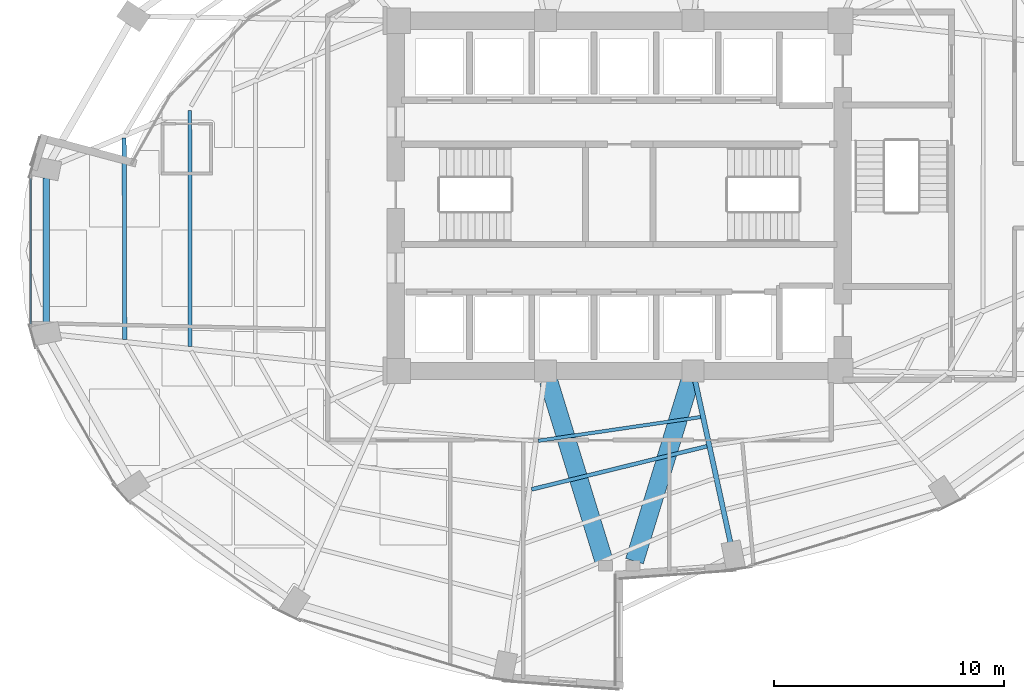
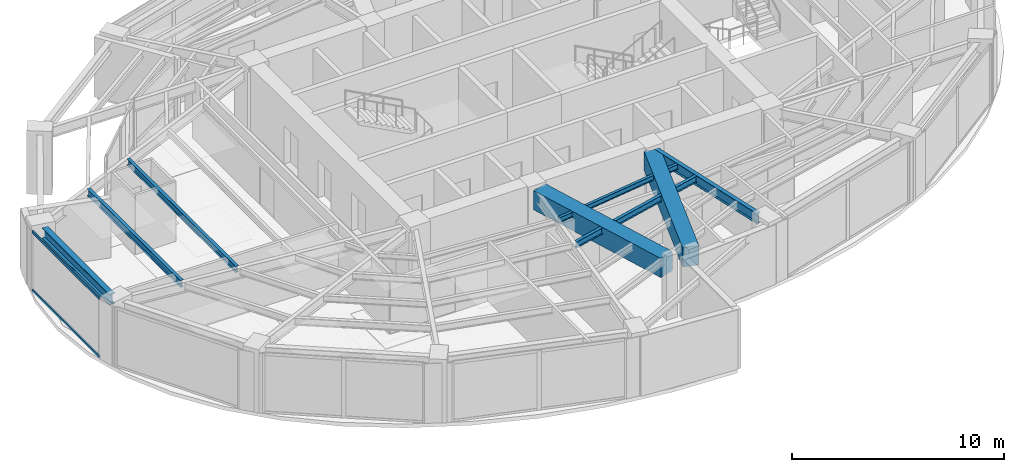
# One storey, part 7 of 24: 8 beams, 2 members, 1 element without a shape of its own.
"""IFC4 building model written with IfcOpenShell, lengths in metres."""

from ifc_helpers import new_model, si_unit, direction, frame, origin, origin_2d, place, context, subcontext, project, spatial, rectangle, hollow_rectangle, i_section, extrude, material, layer, layer_set, material_profile, profile_set, type_object, element, aggregate, save


model = new_model("IFC4")

# Units and contexts
model_context = context("Model", 3, precision=1e-05, world=origin(), true_north=direction((0.0, 1.0)))
body_context = subcontext(model_context, "Body", "Model", "MODEL_VIEW")
ifc_project = project(units=[si_unit("LENGTHUNIT", "METRE"), si_unit("AREAUNIT", "SQUARE_METRE"), si_unit("VOLUMEUNIT", "CUBIC_METRE"), si_unit("PLANEANGLEUNIT", "RADIAN"), si_unit("MASSUNIT", "GRAM", prefix="KILO")], contexts=[model_context])

# Site, building, storey
site_placement = place(None, origin())
site = spatial("IfcSite", under=ifc_project, at=site_placement, CompositionType="ELEMENT")
building_placement = place(site_placement, origin())
building = spatial("IfcBuilding", under=site, at=building_placement, Name="Lazwardi Medical Tower", CompositionType="ELEMENT")
storey_placement = place(building_placement, frame((0.0, 0.0, 118.22412109375)))
storey = spatial("IfcBuildingStorey", under=building, at=storey_placement, Name="L30", CompositionType="ELEMENT", Elevation=118.22412109375)

# Beams
ifc_material_1 = material(Name="Concrete C70/85", Category="concrete")
ifc_material_profile_1 = material_profile(ifc_material_1, rectangle(XDim=0.800048828125, YDim=1.10009765625, at=origin_2d()), Name="RC 800x1100")
ifc_profile_set_1 = profile_set([ifc_material_profile_1], Name="Concrete C70/85")
beam_type_1 = type_object("IfcBeamType", Name="BM-CB-RC1", PredefinedType="LINTEL", material=ifc_profile_set_1)
for number, where, z_axis, x_axis, name in (
    (1, (32.935302734375, 19.960205078125, 2.8779296875), (0.294073251002, -0.955782884888, 0.0), (0.955782884888, 0.294073251002, 0.0), "Core coupling lintel CB-01 PL3 L30"),
    (2, (39.064697265625, 19.960205078125, 2.8779296875), (-0.294073251002, -0.955782884888, 0.0), (0.955782884888, -0.294073251002, 0.0), "Core coupling lintel CB-01 PL4 L30"),
):
    element("IfcBeam", number, at=place(storey_placement, frame(where, z_axis=z_axis, x_axis=x_axis)), inside=storey, type_object=beam_type_1, Name=name, PredefinedType="LINTEL", context=body_context, shape_type="SweptSolid", body=[
        extrude(rectangle(XDim=0.800048828125, YDim=1.10009765625, at=origin_2d()), origin(), (0.0, 0.0, 1.0), 8.1708984375),
    ])
ifc_material_2 = material(Name="Steel S355", Category="steel")
ifc_material_profile_2 = material_profile(ifc_material_2, i_section(OverallWidth=0.300048828125, OverallDepth=0.60009765625, WebThickness=0.015380859375, FlangeThickness=0.030029296875, at=origin_2d()), Name="HEB 600")
ifc_profile_set_2 = profile_set([ifc_material_profile_2], Name="Steel S355")
beam_type_2 = type_object("IfcBeamType", Name="BM-RB-Z2", PredefinedType="BEAM", material=ifc_profile_set_2)
beam_1_placement = place(storey_placement, frame((11.13720703125, 28.77001953125, 3.1279296875), z_axis=(0.0, -1.0, 0.0), x_axis=(1.0, 0.0, 0.0)))
element("IfcBeam", 3, at=beam_1_placement, inside=storey, type_object=beam_type_2, Name="Ring beam RB-03 B12 L30", PredefinedType="BEAM", context=body_context, shape_type="SweptSolid", body=[
    extrude(i_section(OverallWidth=0.300048828125, OverallDepth=0.60009765625, WebThickness=0.015380859375, FlangeThickness=0.030029296875, at=origin_2d()), origin(), (0.0, 0.0, 1.0), 6.33984375),
])
ifc_material_profile_3 = material_profile(ifc_material_2, i_section(OverallWidth=0.219970703125, OverallDepth=0.60009765625, WebThickness=0.011962890625, FlangeThickness=0.01904296875, at=origin_2d()), Name="IPE 600")
ifc_profile_set_3 = profile_set([ifc_material_profile_3], Name="Steel S355")
beam_type_3 = type_object("IfcBeamType", Name="BM-RG-W1", PredefinedType="BEAM", material=ifc_profile_set_3)
beam_2_placement = place(storey_placement, frame((40.82177734375, 12.96923828125, 3.1279296875), z_axis=(-0.213228150441, 0.977002433907, 0.0), x_axis=(-0.977002433907, -0.213228150441, 0.0)))
element("IfcBeam", 4, at=beam_2_placement, inside=storey, type_object=beam_type_3, Name="Radial girder RG-02 R01 L30", PredefinedType="BEAM", context=body_context, shape_type="SweptSolid", body=[
    extrude(i_section(OverallWidth=0.219970703125, OverallDepth=0.60009765625, WebThickness=0.011962890625, FlangeThickness=0.01904296875, at=origin_2d()), origin(), (0.0, 0.0, 1.0), 7.145751953125),
])
ifc_material_profile_4 = material_profile(ifc_material_2, i_section(OverallWidth=0.179931640625, OverallDepth=0.39990234375, WebThickness=0.008544921875, FlangeThickness=0.013427734375, at=origin_2d()), Name="IPE 400")
ifc_profile_set_4 = profile_set([ifc_material_profile_4], Name="Steel S355")
beam_type_4 = type_object("IfcBeamType", Name="BM-SJ-01", PredefinedType="JOIST", material=ifc_profile_set_4)
beam_3_placement = place(storey_placement, frame((14.51904296875, 30.497314453125, 3.227783203125), z_axis=(0.002907126978, -0.999995774297, 0.0), x_axis=(0.999995774297, 0.002907126978, 0.0)))
element("IfcBeam", 5, at=beam_3_placement, inside=storey, type_object=beam_type_4, Name="Secondary joist SJ-01 R1 B12 L30", PredefinedType="JOIST", context=body_context, shape_type="SweptSolid", body=[
    extrude(i_section(OverallWidth=0.179931640625, OverallDepth=0.39990234375, WebThickness=0.008544921875, FlangeThickness=0.013427734375, at=origin_2d()), origin(), (0.0, 0.0, 1.0), 8.73388671875),
])
ifc_material_profile_5 = material_profile(ifc_material_2, i_section(OverallWidth=0.169921875, OverallDepth=0.360107421875, WebThickness=0.008056640625, FlangeThickness=0.0126953125, at=origin_2d()), Name="IPE 360")
ifc_profile_set_5 = profile_set([ifc_material_profile_5], Name="Steel S355")
beam_type_5 = type_object("IfcBeamType", Name="BM-SJ-02", PredefinedType="JOIST", material=ifc_profile_set_5)
beam_4_placement = place(storey_placement, frame((17.365966796875, 31.69482421875, 3.247802734375), z_axis=(0.000930565095, -0.999999567024, 0.0), x_axis=(0.999999567024, 0.000930565095, 0.0)))
element("IfcBeam", 6, at=beam_4_placement, inside=storey, type_object=beam_type_5, Name="Secondary joist SJ-02 R2 B12 L30", PredefinedType="JOIST", context=body_context, shape_type="SweptSolid", body=[
    extrude(i_section(OverallWidth=0.169921875, OverallDepth=0.360107421875, WebThickness=0.008056640625, FlangeThickness=0.0126953125, at=origin_2d()), origin(), (0.0, 0.0, 1.0), 10.23193359375),
])
beam_5_placement = place(storey_placement, frame((32.19775390625, 15.262451171875, 3.247802734375), z_axis=(0.97107737879, 0.238764998276, 0.0), x_axis=(-0.238764998276, 0.97107737879, 0.0)))
element("IfcBeam", 7, at=beam_5_placement, inside=storey, type_object=beam_type_5, Name="Secondary joist SJ-02 R3 B16 L30", PredefinedType="JOIST", context=body_context, shape_type="SweptSolid", body=[
    extrude(i_section(OverallWidth=0.169921875, OverallDepth=0.360107421875, WebThickness=0.008056640625, FlangeThickness=0.0126953125, at=origin_2d()), origin(), (0.0, 0.0, 1.0), 7.83447265625),
])
ifc_material_profile_6 = material_profile(ifc_material_2, i_section(OverallWidth=0.14990234375, OverallDepth=0.300048828125, WebThickness=0.007080078125, FlangeThickness=0.0107421875, at=origin_2d()), Name="IPE 300")
ifc_profile_set_6 = profile_set([ifc_material_profile_6], Name="Steel S355")
beam_type_6 = type_object("IfcBeamType", Name="BM-SJ-03", PredefinedType="JOIST", material=ifc_profile_set_6)
beam_6_placement = place(storey_placement, frame((32.488525390625, 17.37060546875, 3.27783203125), z_axis=(0.98949221477, 0.144586157392, 0.0), x_axis=(-0.144586157392, 0.98949221477, 0.0)))
element("IfcBeam", 8, at=beam_6_placement, inside=storey, type_object=beam_type_6, Name="Secondary joist SJ-03 R4 B16 L30", PredefinedType="JOIST", context=body_context, shape_type="SweptSolid", body=[
    extrude(i_section(OverallWidth=0.14990234375, OverallDepth=0.300048828125, WebThickness=0.007080078125, FlangeThickness=0.0107421875, at=origin_2d()), origin(), (0.0, 0.0, 1.0), 7.115478515625),
])

# Curtain wall, members
ifc_material_3 = material(Name="Anodised bronze aluminium and solar control glazing", Category="aluminium")
ifc_layer = layer(ifc_material_3, 0.195068359375)
ifc_layer_set = layer_set([ifc_layer], Name="Anodised bronze aluminium and solar control glazing")
curtain_wall_type = type_object("IfcCurtainWallType", Name="CW-SYS-03", PredefinedType="NOTDEFINED", material=ifc_layer_set)
curtain_wall_placement = place(storey_placement, origin())
curtain_wall = element("IfcCurtainWall", 9, at=curtain_wall_placement, inside=storey, type_object=curtain_wall_type, Name="L30 Unitised bronze curtain wall CW-03", PredefinedType="NOTDEFINED")
ifc_material_4 = material(Name="Anodised bronze aluminium", Category="aluminium")
ifc_material_profile_7 = material_profile(ifc_material_4, hollow_rectangle(XDim=0.074951171875, YDim=0.159912109375, WallThickness=0.00390625, at=origin_2d()), Name="ALU-TRANSOM 160x75x4")
ifc_profile_set_7 = profile_set([ifc_material_profile_7], Name="Anodised bronze aluminium")
member_type = type_object("IfcMemberType", Name="CW-TRN-01", PredefinedType="USERDEFINED", material=ifc_profile_set_7)
member_1_placement = place(storey_placement, frame((10.471923828125, 28.760009765625, 0.037353515625), z_axis=(0.0, -1.0, 0.0), x_axis=(1.0, 0.0, 0.0)))
member_1 = element("IfcMember", 10, at=member_1_placement, type_object=member_type, Name="CW-03 transom 1.1", ObjectType="TRANSOM", PredefinedType="USERDEFINED", context=body_context, shape_type="SweptSolid", body=[
    extrude(hollow_rectangle(XDim=0.074951171875, YDim=0.159912109375, WallThickness=0.00390625, at=origin_2d()), origin(), (0.0, 0.0, 1.0), 6.31982421875),
])
member_2_placement = place(storey_placement, frame((10.471923828125, 28.760009765625, 3.390380859375), z_axis=(0.0, -1.0, 0.0), x_axis=(1.0, 0.0, 0.0)))
member_2 = element("IfcMember", 11, at=member_2_placement, type_object=member_type, Name="CW-03 transom 1.2", ObjectType="TRANSOM", PredefinedType="USERDEFINED", context=body_context, shape_type="SweptSolid", body=[
    extrude(hollow_rectangle(XDim=0.074951171875, YDim=0.159912109375, WallThickness=0.00390625, at=origin_2d()), origin(), (0.0, 0.0, 1.0), 6.31982421875),
])
aggregate(curtain_wall, [member_1, member_2])

save(model, "model.ifc")
